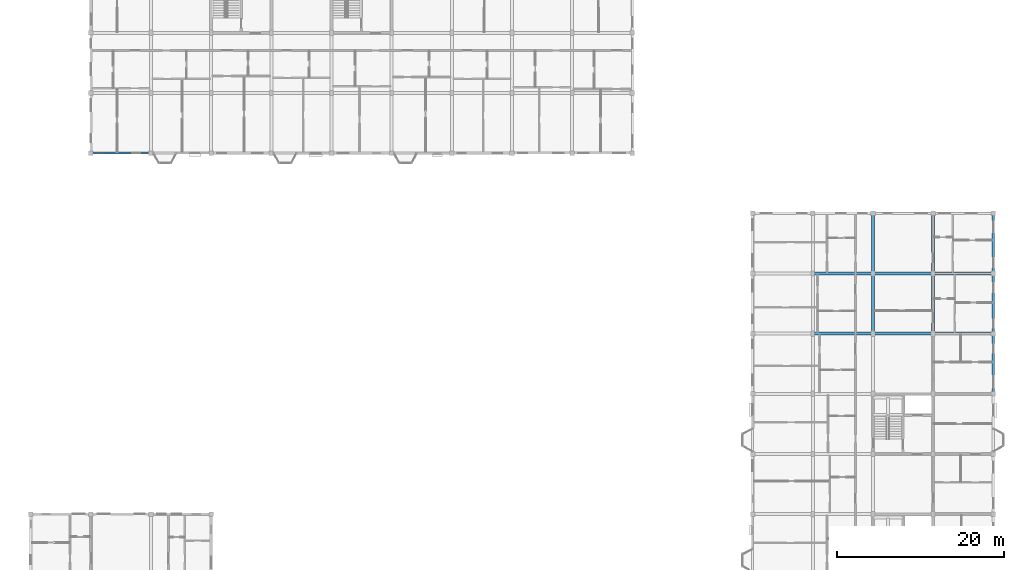
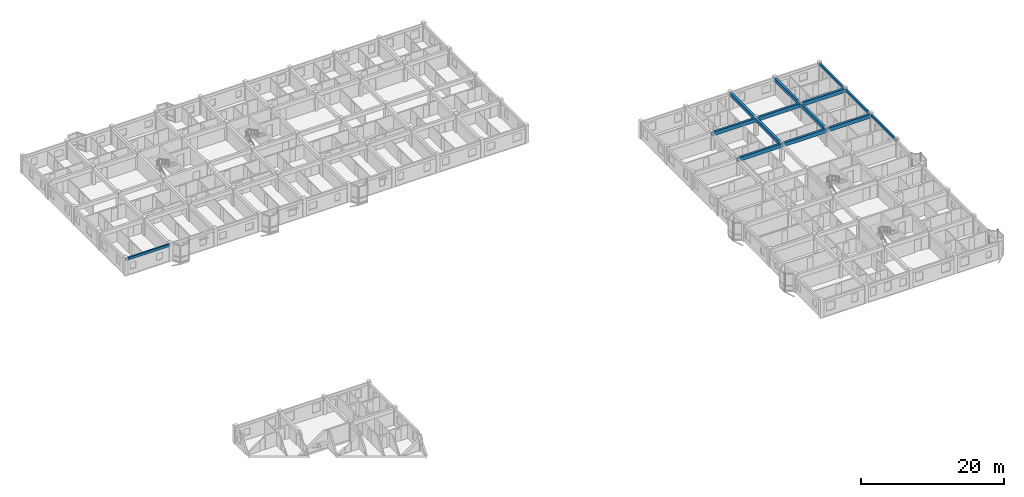
# One storey, part 31 of 77: 14 beams.
"""IFC4 building model written with IfcOpenShell, lengths in metres."""

from ifc_helpers import new_model, si_unit, direction, frame, origin, origin_2d, place, context, subcontext, project, spatial, rectangle, extrude, material, material_profile, profile_set, type_object, element, save


model = new_model("IFC4")

# Units and contexts
model_context = context("Model", 3, precision=1e-05, world=origin(), true_north=direction((0.0, 1.0)))
body_context = subcontext(model_context, "Body", "Model", "MODEL_VIEW")
ifc_project = project(units=[si_unit("LENGTHUNIT", "METRE"), si_unit("AREAUNIT", "SQUARE_METRE"), si_unit("VOLUMEUNIT", "CUBIC_METRE"), si_unit("PLANEANGLEUNIT", "RADIAN"), si_unit("MASSUNIT", "GRAM", prefix="KILO"), si_unit("THERMODYNAMICTEMPERATUREUNIT", "KELVIN"), si_unit("POWERUNIT", "WATT")], contexts=[model_context])

# Site, building, storey
site_placement = place(None, origin())
site = spatial("IfcSite", under=ifc_project, at=site_placement, CompositionType="ELEMENT")
building_placement = place(site_placement, origin())
building = spatial("IfcBuilding", under=site, at=building_placement, Name="Tavuni Mirador Residences", CompositionType="ELEMENT")
storey_placement = place(building_placement, frame((0.0, 0.0, 17.10009765625)))
storey = spatial("IfcBuildingStorey", under=building, at=storey_placement, Name="L05", CompositionType="ELEMENT", Elevation=17.10009765625)

# Beams
ifc_material = material(Name="Precast concrete C40/50", Category="concrete")
ifc_material_profile_1 = material_profile(ifc_material, rectangle(XDim=0.35009765625, YDim=0.60009765625, at=origin_2d()), Name="PC 350x600", Category="concrete")
ifc_profile_set_1 = profile_set([ifc_material_profile_1], Name="Precast concrete C40/50")
beam_type_1 = type_object("IfcBeamType", Name="BT-B600", PredefinedType="BEAM", material=ifc_profile_set_1)
beam_1_placement = place(storey_placement, frame((104.39990234375, 122.39990234375, 2.58984375), z_axis=(0.0, 1.0, 0.0), x_axis=(-1.0, 0.0, 0.0)))
element("IfcBeam", 1, at=beam_1_placement, inside=storey, type_object=beam_type_1, Name="BMY-BLK-D-L05-02-05", PredefinedType="BEAM", context=body_context, shape_type="SweptSolid", body=[
    extrude(rectangle(XDim=0.35009765625, YDim=0.60009765625, at=origin_2d()), origin(), (0.0, 0.0, 1.0), 7.2001953125),
])
beam_2_placement = place(storey_placement, frame((104.39990234375, 129.60009765625, 2.58984375), z_axis=(0.0, 1.0, 0.0), x_axis=(-1.0, 0.0, 0.0)))
element("IfcBeam", 2, at=beam_2_placement, inside=storey, type_object=beam_type_1, Name="BMY-BLK-D-L05-02-06", PredefinedType="BEAM", context=body_context, shape_type="SweptSolid", body=[
    extrude(rectangle(XDim=0.35009765625, YDim=0.60009765625, at=origin_2d()), origin(), (0.0, 0.0, 1.0), 7.199951171875),
])
beam_3_placement = place(storey_placement, frame((111.60009765625, 122.39990234375, 2.58984375), z_axis=(0.0, 1.0, 0.0), x_axis=(-1.0, 0.0, 0.0)))
element("IfcBeam", 3, at=beam_3_placement, inside=storey, type_object=beam_type_1, Name="BMY-BLK-D-L05-03-05", PredefinedType="BEAM", context=body_context, shape_type="SweptSolid", body=[
    extrude(rectangle(XDim=0.35009765625, YDim=0.60009765625, at=origin_2d()), origin(), (0.0, 0.0, 1.0), 7.2001953125),
])
beam_4_placement = place(storey_placement, frame((111.60009765625, 129.60009765625, 2.58984375), z_axis=(0.0, 1.0, 0.0), x_axis=(-1.0, 0.0, 0.0)))
element("IfcBeam", 4, at=beam_4_placement, inside=storey, type_object=beam_type_1, Name="BMY-BLK-D-L05-03-06", PredefinedType="BEAM", context=body_context, shape_type="SweptSolid", body=[
    extrude(rectangle(XDim=0.35009765625, YDim=0.60009765625, at=origin_2d()), origin(), (0.0, 0.0, 1.0), 7.199951171875),
])
ifc_material_profile_2 = material_profile(ifc_material, rectangle(XDim=0.35009765625, YDim=0.64990234375, at=origin_2d()), Name="PC 350x650", Category="concrete")
ifc_profile_set_2 = profile_set([ifc_material_profile_2], Name="Precast concrete C40/50")
beam_type_2 = type_object("IfcBeamType", Name="BT-B650", PredefinedType="BEAM", material=ifc_profile_set_2)
beam_5_placement = place(storey_placement, frame((97.199951171875, 122.39990234375, 2.56494140625), z_axis=(1.0, 0.0, 0.0), x_axis=(0.0, 1.0, 0.0)))
element("IfcBeam", 5, at=beam_5_placement, inside=storey, type_object=beam_type_2, Name="BMX-BLK-D-L05-01-05", PredefinedType="BEAM", context=body_context, shape_type="SweptSolid", body=[
    extrude(rectangle(XDim=0.35009765625, YDim=0.64990234375, at=origin_2d()), origin(), (0.0, 0.0, 1.0), 7.199951171875),
])
beam_6_placement = place(storey_placement, frame((104.39990234375, 122.39990234375, 2.56494140625), z_axis=(1.0, 0.0, 0.0), x_axis=(0.0, 1.0, 0.0)))
element("IfcBeam", 6, at=beam_6_placement, inside=storey, type_object=beam_type_2, Name="BMX-BLK-D-L05-02-05", PredefinedType="BEAM", context=body_context, shape_type="SweptSolid", body=[
    extrude(rectangle(XDim=0.35009765625, YDim=0.64990234375, at=origin_2d()), origin(), (0.0, 0.0, 1.0), 7.2001953125),
])
for number, where, z_axis, x_axis, name in (
    (7, (111.60009765625, 122.39990234375, 2.56494140625), (1.0, 0.0, 0.0), (0.0, 1.0, 0.0), "BMX-BLK-D-L05-03-05"),
    (8, (97.199951171875, 129.60009765625, 2.56494140625), (1.0, 0.0, 0.0), (0.0, 1.0, 0.0), "BMX-BLK-D-L05-01-06"),
):
    element("IfcBeam", number, at=place(storey_placement, frame(where, z_axis=z_axis, x_axis=x_axis)), inside=storey, type_object=beam_type_2, Name=name, PredefinedType="BEAM", context=body_context, shape_type="SweptSolid", body=[
        extrude(rectangle(XDim=0.35009765625, YDim=0.64990234375, at=origin_2d()), origin(), (0.0, 0.0, 1.0), 7.199951171875),
    ])
beam_7_placement = place(storey_placement, frame((104.39990234375, 129.60009765625, 2.56494140625), z_axis=(1.0, 0.0, 0.0), x_axis=(0.0, 1.0, 0.0)))
element("IfcBeam", 9, at=beam_7_placement, inside=storey, type_object=beam_type_2, Name="BMX-BLK-D-L05-02-06", PredefinedType="BEAM", context=body_context, shape_type="SweptSolid", body=[
    extrude(rectangle(XDim=0.35009765625, YDim=0.64990234375, at=origin_2d()), origin(), (0.0, 0.0, 1.0), 7.2001953125),
])
beam_8_placement = place(storey_placement, frame((111.60009765625, 129.60009765625, 2.56494140625), z_axis=(1.0, 0.0, 0.0), x_axis=(0.0, 1.0, 0.0)))
element("IfcBeam", 10, at=beam_8_placement, inside=storey, type_object=beam_type_2, Name="BMX-BLK-D-L05-03-06", PredefinedType="BEAM", context=body_context, shape_type="SweptSolid", body=[
    extrude(rectangle(XDim=0.35009765625, YDim=0.64990234375, at=origin_2d()), origin(), (0.0, 0.0, 1.0), 7.199951171875),
])
ifc_material_profile_3 = material_profile(ifc_material, rectangle(XDim=0.25, YDim=0.419921875, at=origin_2d()), Name="PC 250x420", Category="concrete")
ifc_profile_set_3 = profile_set([ifc_material_profile_3], Name="Precast concrete C40/50")
beam_type_3 = type_object("IfcBeamType", Name="BT-SP420", PredefinedType="SPANDREL", material=ifc_profile_set_3)
for number, where, z_axis, x_axis, name in (
    (11, (10.800048828125, 144.0, 2.6748046875), (1.0, 0.0, 0.0), (0.0, 1.0, 0.0), "BMX-BLK-C-L05-00-00"),
    (12, (118.800048828125, 115.199951171875, 2.679931640625), (0.0, 1.0, 0.0), (-1.0, 0.0, 0.0), "BMY-BLK-D-L05-04-04"),
):
    element("IfcBeam", number, at=place(storey_placement, frame(where, z_axis=z_axis, x_axis=x_axis)), inside=storey, type_object=beam_type_3, Name=name, PredefinedType="SPANDREL", context=body_context, shape_type="SweptSolid", body=[
        extrude(rectangle(XDim=0.25, YDim=0.419921875, at=origin_2d()), origin(), (0.0, 0.0, 1.0), 7.199951171875),
    ])
beam_9_placement = place(storey_placement, frame((118.800048828125, 122.39990234375, 2.679931640625), z_axis=(0.0, 1.0, 0.0), x_axis=(-1.0, 0.0, 0.0)))
element("IfcBeam", 13, at=beam_9_placement, inside=storey, type_object=beam_type_3, Name="BMY-BLK-D-L05-04-05", PredefinedType="SPANDREL", context=body_context, shape_type="SweptSolid", body=[
    extrude(rectangle(XDim=0.25, YDim=0.419921875, at=origin_2d()), origin(), (0.0, 0.0, 1.0), 7.2001953125),
])
beam_10_placement = place(storey_placement, frame((118.800048828125, 129.60009765625, 2.679931640625), z_axis=(0.0, 1.0, 0.0), x_axis=(-1.0, 0.0, 0.0)))
element("IfcBeam", 14, at=beam_10_placement, inside=storey, type_object=beam_type_3, Name="BMY-BLK-D-L05-04-06", PredefinedType="SPANDREL", context=body_context, shape_type="SweptSolid", body=[
    extrude(rectangle(XDim=0.25, YDim=0.419921875, at=origin_2d()), origin(), (0.0, 0.0, 1.0), 7.199951171875),
])

save(model, "model.ifc")
